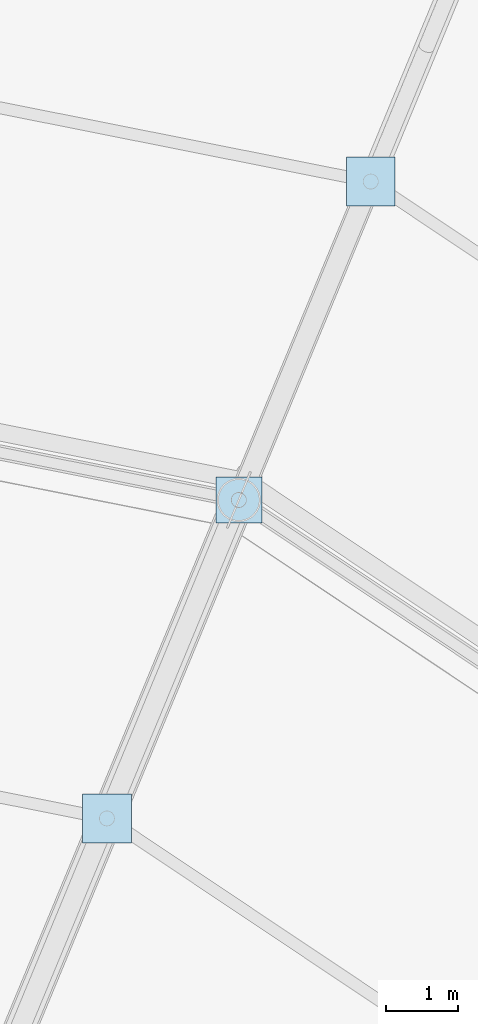
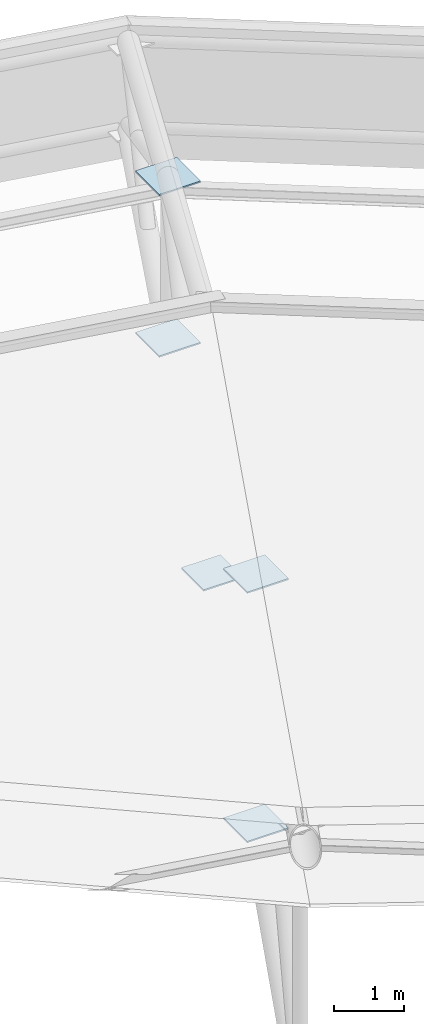
# One storey, part 145 of 146: 5 plates.
"""IFC4 building model written with IfcOpenShell, lengths in metres."""

from ifc_helpers import new_model, si_unit, direction, frame, origin, origin_2d, place, context, subcontext, project, spatial, rectangle, extrude, material, layer, layer_set, type_object, element, save


model = new_model("IFC4")

# Units and contexts
model_context = context("Model", 3, precision=1e-05, world=origin(), true_north=direction((0.0, 1.0)))
body_context = subcontext(model_context, "Body", "Model", "MODEL_VIEW")
ifc_project = project(units=[si_unit("LENGTHUNIT", "METRE"), si_unit("AREAUNIT", "SQUARE_METRE"), si_unit("VOLUMEUNIT", "CUBIC_METRE"), si_unit("PLANEANGLEUNIT", "RADIAN"), si_unit("MASSUNIT", "GRAM", prefix="KILO")], contexts=[model_context])

# Site, building, storey
site_placement = place(None, origin())
site = spatial("IfcSite", under=ifc_project, at=site_placement, CompositionType="ELEMENT")
building_placement = place(site_placement, origin())
building = spatial("IfcBuilding", under=site, at=building_placement, Name="Candeia Ridge Stadium", CompositionType="ELEMENT")
storey_placement = place(building_placement, frame((0.0, 0.0, 31.800048828125)))
storey = spatial("IfcBuildingStorey", under=building, at=storey_placement, Name="RF", CompositionType="ELEMENT", Elevation=31.800048828125)

# Plates
ifc_material = material(Name="Steel ASTM A572 Grade 50", Category="steel")
ifc_layer_1 = layer(ifc_material, 0.02490234375, Name="Steel ASTM A572 Grade 50", Category="steel")
ifc_layer_set_1 = layer_set([ifc_layer_1], Name="Steel ASTM A572 Grade 50")
plate_type_1 = type_object("IfcPlateType", Name="Hollow Section End Closure Plate CP1", PredefinedType="SHEET", material=ifc_layer_set_1)
plate_placement = place(storey_placement, frame((160.899658203125, 143.041748046875, 0.387451171875), z_axis=(0.0, 0.0, 1.0), x_axis=(1.0, 0.0, 0.0)))
element("IfcPlate", 1, at=plate_placement, inside=storey, type_object=plate_type_1, Name="Hollow section end closure plate MCAP-T-BC-OU-35", PredefinedType="SHEET", context=body_context, shape_type="SweptSolid", body=[
    extrude(rectangle(XDim=0.639892578125, YDim=0.639892578125, at=origin_2d()), origin(), (0.0, 0.0, 1.0), 0.02490234375),
])
ifc_layer_2 = layer(ifc_material, 0.02490234375, Name="Steel ASTM A572 Grade 50", Category="steel")
ifc_layer_set_2 = layer_set([ifc_layer_2], Name="Steel ASTM A572 Grade 50")
plate_type_2 = type_object("IfcPlateType", Name="Hollow Section End Closure Plate CP3", PredefinedType="SHEET", material=ifc_layer_set_2)
for number, where, z_axis, x_axis, name in (
    (2, (159.062744140625, 138.607177734375, 3.699462890625), (0.0, 0.0, 1.0), (1.0, 0.0, 0.0), "Hollow section end closure plate NCAP-T-35-5"),
    (3, (159.062744140625, 138.607177734375, -0.6337890625), (0.0, 0.0, 1.0), (1.0, 0.0, 0.0), "Hollow section end closure plate NCAP-B-35-5"),
    (4, (162.736328125, 147.476318359375, 3.94580078125), (0.0, 0.0, 1.0), (1.0, 0.0, 0.0), "Hollow section end closure plate NCAP-T-35-7"),
    (5, (162.736328125, 147.476318359375, 1.139404296875), (0.0, 0.0, 1.0), (1.0, 0.0, 0.0), "Hollow section end closure plate NCAP-B-35-7"),
):
    element("IfcPlate", number, at=place(storey_placement, frame(where, z_axis=z_axis, x_axis=x_axis)), inside=storey, type_object=plate_type_2, Name=name, PredefinedType="SHEET", context=body_context, shape_type="SweptSolid", body=[
        extrude(rectangle(XDim=0.679931640625, YDim=0.679931640625, at=origin_2d()), origin(), (0.0, 0.0, 1.0), 0.02490234375),
    ])

save(model, "model.ifc")
